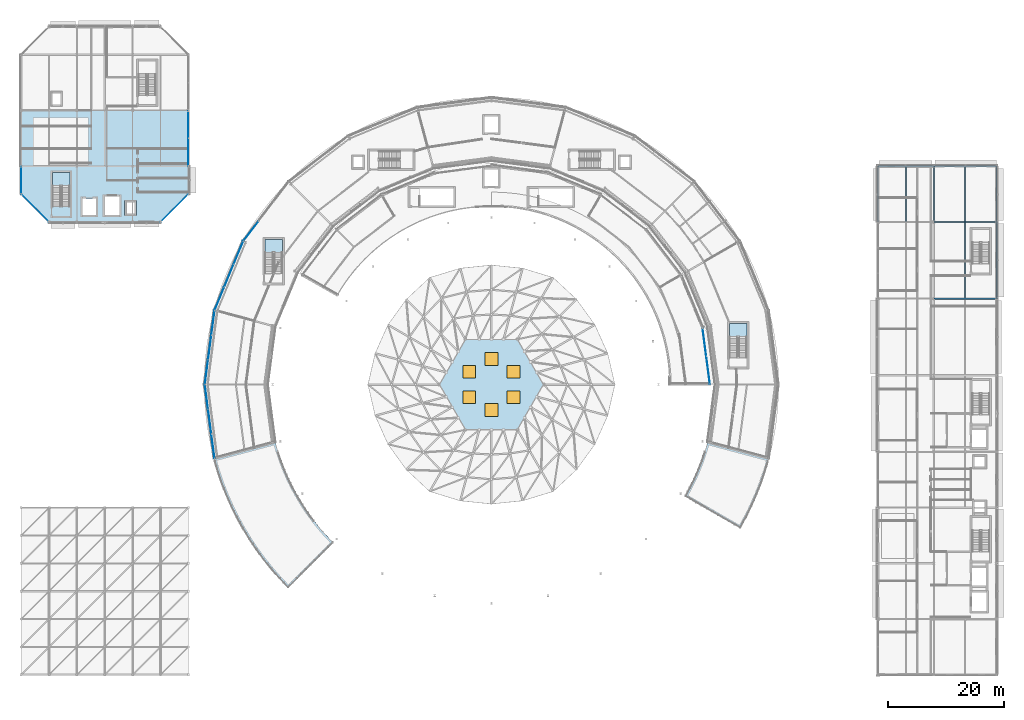
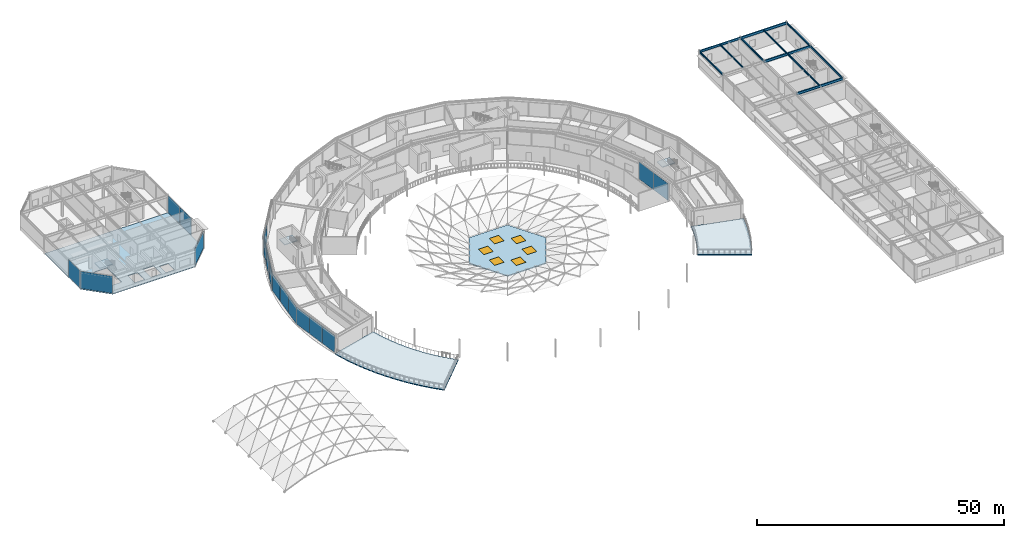
# One storey, part 76 of 116: 17 plates, 11 beams, 7 slabs, 6 windows, 6 openings, 12 elements without a shape of their own.
"""IFC4 building model written with IfcOpenShell, lengths in metres."""

from ifc_helpers import new_model, si_unit, direction, frame, origin, origin_2d, place, context, subcontext, project, spatial, polyline, rectangle, i_section, outline, extrude, material, layer, layer_set, material_profile, profile_set, type_object, element, fill, aggregate, save


model = new_model("IFC4")

# Units and contexts
model_context = context("Model", 3, precision=1e-05, world=origin(), true_north=direction((0.0, 1.0)))
body_context = subcontext(model_context, "Body", "Model", "MODEL_VIEW")
ifc_project = project(units=[si_unit("LENGTHUNIT", "METRE"), si_unit("AREAUNIT", "SQUARE_METRE"), si_unit("VOLUMEUNIT", "CUBIC_METRE"), si_unit("PLANEANGLEUNIT", "RADIAN"), si_unit("MASSUNIT", "GRAM", prefix="KILO")], contexts=[model_context])

# Site, building, storey
site_placement = place(None, origin())
site = spatial("IfcSite", under=ifc_project, at=site_placement, CompositionType="ELEMENT")
building_placement = place(site_placement, origin())
building = spatial("IfcBuilding", under=site, at=building_placement, Name="Almandine Court Research Institute", CompositionType="ELEMENT")
storey_placement = place(building_placement, frame((0.0, 0.0, 14.35009765625)))
storey = spatial("IfcBuildingStorey", under=building, at=storey_placement, Name="L03", CompositionType="ELEMENT", Elevation=14.35009765625)

# Beams
ifc_material_1 = material(Name="Steel ASTM A992 Grade 50", Category="steel")
ifc_material_profile_1 = material_profile(ifc_material_1, i_section(OverallWidth=0.18994140625, OverallDepth=0.45703125, WebThickness=0.009033203125, FlangeThickness=0.014892578125, at=origin_2d()), Name="W460x74")
ifc_profile_set_1 = profile_set([ifc_material_profile_1], Name="Steel ASTM A992 Grade 50")
beam_type_1 = type_object("IfcBeamType", Name="Beam-B-01", PredefinedType="BEAM", material=ifc_profile_set_1)
for number, where, z_axis, x_axis, name in (
    (1, (153.60009765625, 84.0, 4.094970703125), (0.0, 1.0, 0.0), (-1.0, 0.0, 0.0), "L03 V4 Primary Y Girder"),
    (2, (163.199951171875, 84.0, 4.094970703125), (0.0, 1.0, 0.0), (-1.0, 0.0, 0.0), "L03 V4 Primary Y Girder"),
):
    element("IfcBeam", number, at=place(storey_placement, frame(where, z_axis=z_axis, x_axis=x_axis)), inside=storey, type_object=beam_type_1, Name=name, PredefinedType="BEAM", context=body_context, shape_type="SweptSolid", body=[
        extrude(i_section(OverallWidth=0.18994140625, OverallDepth=0.45703125, WebThickness=0.009033203125, FlangeThickness=0.014892578125, at=origin_2d()), origin(), (0.0, 0.0, 1.0), 9.60009765625),
    ])
ifc_material_profile_2 = material_profile(ifc_material_1, i_section(OverallWidth=0.178955078125, OverallDepth=0.409912109375, WebThickness=0.009033203125, FlangeThickness=0.013916015625, at=origin_2d()), Name="W410x67")
ifc_profile_set_2 = profile_set([ifc_material_profile_2], Name="Steel ASTM A992 Grade 50")
beam_type_2 = type_object("IfcBeamType", Name="Beam-B-02", PredefinedType="JOIST", material=ifc_profile_set_2)
beam_1_placement = place(storey_placement, frame((168.60009765625, 70.9130859375, 4.164794921875), z_axis=(0.0, 1.0, 0.0), x_axis=(-1.0, 0.0, 0.0)))
element("IfcBeam", 3, at=beam_1_placement, inside=storey, type_object=beam_type_2, Name="L03 V4 Composite Secondary Beam", PredefinedType="JOIST", context=body_context, shape_type="SweptSolid", body=[
    extrude(i_section(OverallWidth=0.178955078125, OverallDepth=0.409912109375, WebThickness=0.009033203125, FlangeThickness=0.013916015625, at=origin_2d()), origin(), (0.0, 0.0, 1.0), 12.973876953125),
])
beam_2_placement = place(storey_placement, frame((158.39990234375, 84.10302734375, 4.117919921875), z_axis=(0.0, 1.0, 0.0), x_axis=(-1.0, 0.0, 0.0)))
element("IfcBeam", 4, at=beam_2_placement, inside=storey, type_object=beam_type_2, Name="L03 V4 Composite Secondary Beam", PredefinedType="JOIST", context=body_context, shape_type="SweptSolid", body=[
    extrude(i_section(OverallWidth=0.178955078125, OverallDepth=0.409912109375, WebThickness=0.009033203125, FlangeThickness=0.013916015625, at=origin_2d()), origin(), (0.0, 0.0, 1.0), 9.39306640625),
])
beam_3_placement = place(storey_placement, frame((168.60009765625, 84.113037109375, 4.117919921875), z_axis=(0.0, 1.0, 0.0), x_axis=(-1.0, 0.0, 0.0)))
element("IfcBeam", 5, at=beam_3_placement, inside=storey, type_object=beam_type_2, Name="L03 V4 Composite Secondary Beam", PredefinedType="JOIST", context=body_context, shape_type="SweptSolid", body=[
    extrude(i_section(OverallWidth=0.178955078125, OverallDepth=0.409912109375, WebThickness=0.009033203125, FlangeThickness=0.013916015625, at=origin_2d()), origin(), (0.0, 0.0, 1.0), 9.3740234375),
])
ifc_material_profile_3 = material_profile(ifc_material_1, i_section(OverallWidth=0.22998046875, OverallDepth=0.616943359375, WebThickness=0.012939453125, FlangeThickness=0.02197265625, at=origin_2d()), Name="W610x140")
ifc_profile_set_3 = profile_set([ifc_material_profile_3], Name="Steel ASTM A992 Grade 50")
beam_type_3 = type_object("IfcBeamType", Name="Beam-G-02", PredefinedType="BEAM", material=ifc_profile_set_3)
for number, where, z_axis, x_axis, name in (
    (6, (163.199951171875, 70.800048828125, 4.06201171875), (1.0, 0.0, 0.0), (0.0, 1.0, 0.0), "L03 V4 Primary X Girder"),
    (7, (163.199951171875, 84.0, 4.014892578125), (1.0, 0.0, 0.0), (0.0, 1.0, 0.0), "L03 V4 Primary X Girder"),
    (8, (163.199951171875, 93.60009765625, 4.014892578125), (1.0, 0.0, 0.0), (0.0, 1.0, 0.0), "L03 V4 Primary X Girder"),
):
    element("IfcBeam", number, at=place(storey_placement, frame(where, z_axis=z_axis, x_axis=x_axis)), inside=storey, type_object=beam_type_3, Name=name, PredefinedType="BEAM", context=body_context, shape_type="SweptSolid", body=[
        extrude(i_section(OverallWidth=0.22998046875, OverallDepth=0.616943359375, WebThickness=0.012939453125, FlangeThickness=0.02197265625, at=origin_2d()), origin(), (0.0, 0.0, 1.0), 10.800048828125),
    ])
ifc_material_profile_4 = material_profile(ifc_material_1, i_section(OverallWidth=0.2109375, OverallDepth=0.5390625, WebThickness=0.011962890625, FlangeThickness=0.01904296875, at=origin_2d()), Name="W530x109")
ifc_profile_set_4 = profile_set([ifc_material_profile_4], Name="Steel ASTM A992 Grade 50")
beam_type_4 = type_object("IfcBeamType", Name="Beam-G-04", PredefinedType="BEAM", material=ifc_profile_set_4)
beam_4_placement = place(storey_placement, frame((153.60009765625, 93.60009765625, 4.053955078125), z_axis=(1.0, 0.0, 0.0), x_axis=(0.0, 1.0, 0.0)))
element("IfcBeam", 9, at=beam_4_placement, inside=storey, type_object=beam_type_4, Name="L03 V4 Primary X Girder", PredefinedType="BEAM", context=body_context, shape_type="SweptSolid", body=[
    extrude(i_section(OverallWidth=0.2109375, OverallDepth=0.5390625, WebThickness=0.011962890625, FlangeThickness=0.01904296875, at=origin_2d()), origin(), (0.0, 0.0, 1.0), 9.599853515625),
])
ifc_material_profile_5 = material_profile(ifc_material_1, i_section(OverallWidth=0.166015625, OverallDepth=0.534912109375, WebThickness=0.010009765625, FlangeThickness=0.01708984375, at=origin_2d()), Name="W530x85")
ifc_profile_set_5 = profile_set([ifc_material_profile_5], Name="Steel ASTM A992 Grade 50")
beam_type_5 = type_object("IfcBeamType", Name="Beam-G-05-E", PredefinedType="SPANDREL", material=ifc_profile_set_5)
beam_5_placement = place(storey_placement, frame((174.0, 70.800048828125, 4.102783203125), z_axis=(0.0, 1.0, 0.0), x_axis=(-1.0, 0.0, 0.0)))
element("IfcBeam", 10, at=beam_5_placement, inside=storey, type_object=beam_type_5, Name="L03 V4 Primary Y Girder", PredefinedType="SPANDREL", context=body_context, shape_type="SweptSolid", body=[
    extrude(i_section(OverallWidth=0.166015625, OverallDepth=0.534912109375, WebThickness=0.010009765625, FlangeThickness=0.01708984375, at=origin_2d()), origin(), (0.0, 0.0, 1.0), 13.199951171875),
])
ifc_material_profile_6 = material_profile(ifc_material_1, i_section(OverallWidth=0.193115234375, OverallDepth=0.466064453125, WebThickness=0.010986328125, FlangeThickness=0.01904296875, at=origin_2d()), Name="W460x97")
ifc_profile_set_6 = profile_set([ifc_material_profile_6], Name="Steel ASTM A992 Grade 50")
beam_type_6 = type_object("IfcBeamType", Name="Beam-G-06-E", PredefinedType="SPANDREL", material=ifc_profile_set_6)
beam_6_placement = place(storey_placement, frame((174.0, 84.0, 4.08984375), z_axis=(0.0, 1.0, 0.0), x_axis=(-1.0, 0.0, 0.0)))
element("IfcBeam", 11, at=beam_6_placement, inside=storey, type_object=beam_type_6, Name="L03 V4 Primary Y Girder", PredefinedType="SPANDREL", context=body_context, shape_type="SweptSolid", body=[
    extrude(i_section(OverallWidth=0.193115234375, OverallDepth=0.466064453125, WebThickness=0.010986328125, FlangeThickness=0.01904296875, at=origin_2d()), origin(), (0.0, 0.0, 1.0), 9.60009765625),
])

# Curtain wall, plate
ifc_material_2 = material(Name="Unitised Curtain Wall Framing and Solar Glazing", Category="glass")
curtain_wall_type_1 = type_object("IfcCurtainWallType", Name="CW-CWG-05", PredefinedType="USERDEFINED", material=ifc_material_2)
curtain_wall_1_placement = place(storey_placement, origin())
curtain_wall_1 = element("IfcCurtainWall", 12, at=curtain_wall_1_placement, inside=storey, type_object=curtain_wall_type_1, Name="L03 Cleanroom SE Chamfer Glazing", ObjectType="UNITISED GLAZING", PredefinedType="USERDEFINED")
ifc_material_3 = material(Name="Double-Glazed Low-E Argon Insulated Glass", Category="glass")
ifc_layer_1 = layer(ifc_material_3, 0.028076171875)
ifc_layer_set_1 = layer_set([ifc_layer_1], Name="Double-Glazed Low-E Argon Insulated Glass")
plate_type_1 = type_object("IfcPlateType", Name="CWPnl-GLZ-28", PredefinedType="CURTAIN_PANEL", material=ifc_layer_set_1)
plate_1_placement = place(storey_placement, frame((32.39990234375, 86.39990234375, 0.059814453125), z_axis=(0.0, 0.0, 1.0), x_axis=(-0.707106781187, -0.707106781187, 0.0)))
plate_1 = element("IfcPlate", 13, at=plate_1_placement, type_object=plate_type_1, Name="CWG-05 panel 1.1", PredefinedType="CURTAIN_PANEL", context=body_context, shape_type="SweptSolid", body=[
    extrude(rectangle(XDim=6.656982421875, YDim=0.028076171875, at=origin_2d()), origin(), (0.0, 0.0, 1.0), 4.25),
])
aggregate(curtain_wall_1, [plate_1])

curtain_wall_2_placement = place(storey_placement, origin())
curtain_wall_2 = element("IfcCurtainWall", 14, at=curtain_wall_2_placement, inside=storey, type_object=curtain_wall_type_1, Name="L03 Cleanroom SW Chamfer Glazing", ObjectType="UNITISED GLAZING", PredefinedType="USERDEFINED")
plate_2_placement = place(storey_placement, frame((8.39990234375, 86.39990234375, 0.059814453125), z_axis=(0.0, 0.0, 1.0), x_axis=(-0.707106781187, 0.707106781187, 0.0)))
plate_2 = element("IfcPlate", 15, at=plate_2_placement, type_object=plate_type_1, Name="CWG-05 panel 1.1", PredefinedType="CURTAIN_PANEL", context=body_context, shape_type="SweptSolid", body=[
    extrude(rectangle(XDim=6.656982421875, YDim=0.028076171875, at=origin_2d()), origin(), (0.0, 0.0, 1.0), 4.25),
])
aggregate(curtain_wall_2, [plate_2])

# Curtain wall, plates
curtain_wall_type_2 = type_object("IfcCurtainWallType", Name="CW-CWG-24", PredefinedType="USERDEFINED", material=ifc_material_2)
curtain_wall_3_placement = place(storey_placement, origin())
curtain_wall_3 = element("IfcCurtainWall", 16, at=curtain_wall_3_placement, inside=storey, type_object=curtain_wall_type_2, Name="L03 Interaction Atrium Perimeter Curtain Wall 00", ObjectType="UNITISED GLAZING", PredefinedType="USERDEFINED")
plate_3_placement = place(storey_placement, frame((123.6904296875, 63.2919921875, 0.059814453125), z_axis=(0.0, 0.0, 1.0), x_axis=(0.130536164028, -0.991443548509, 0.0)))
plate_3 = element("IfcPlate", 17, at=plate_3_placement, type_object=plate_type_1, Name="CWG-24 panel 1.1", PredefinedType="CURTAIN_PANEL", context=body_context, shape_type="SweptSolid", body=[
    extrude(rectangle(XDim=4.820556640625, YDim=0.028076171875, at=origin_2d()), origin(), (0.0, 0.0, 1.0), 4.25),
])
plate_4_placement = place(storey_placement, frame((124.32763671875, 58.453125, 0.059814453125), z_axis=(0.0, 0.0, 1.0), x_axis=(0.130536164028, -0.991443548509, 0.0)))
plate_4 = element("IfcPlate", 18, at=plate_4_placement, type_object=plate_type_1, Name="CWG-24 panel 2.1", PredefinedType="CURTAIN_PANEL", context=body_context, shape_type="SweptSolid", body=[
    extrude(rectangle(XDim=4.820556640625, YDim=0.028076171875, at=origin_2d()), origin(), (0.0, 0.0, 1.0), 4.25),
])
aggregate(curtain_wall_3, [plate_3, plate_4])

# Curtain wall, plate
curtain_wall_type_3 = type_object("IfcCurtainWallType", Name="CW-CWJ-06", PredefinedType="USERDEFINED", material=ifc_material_2)
curtain_wall_4_placement = place(storey_placement, origin())
curtain_wall_4 = element("IfcCurtainWall", 19, at=curtain_wall_4_placement, inside=storey, type_object=curtain_wall_type_3, Name="L03 Cleanroom West Jali Curtain Wall", ObjectType="SOLAR JALI SCREEN", PredefinedType="USERDEFINED")
ifc_material_4 = material(Name="Perforated Ochre Terracotta Jali Solar Cassette", Category="masonry")
ifc_layer_2 = layer(ifc_material_4, 0.035888671875)
ifc_layer_set_2 = layer_set([ifc_layer_2], Name="Perforated Ochre Terracotta Jali Solar Cassette")
plate_type_2 = type_object("IfcPlateType", Name="CWPnl-JALI-36", PredefinedType="CURTAIN_PANEL", material=ifc_layer_set_2)
plate_5_placement = place(storey_placement, frame((6.0, 91.199951171875, 0.06494140625), z_axis=(0.0, 0.0, 1.0), x_axis=(0.0, 1.0, 0.0)))
plate_5 = element("IfcPlate", 20, at=plate_5_placement, type_object=plate_type_2, Name="CWJ-06 panel 1.1", PredefinedType="CURTAIN_PANEL", context=body_context, shape_type="SweptSolid", body=[
    extrude(rectangle(XDim=4.662109375, YDim=0.035888671875, at=origin_2d()), origin(), (0.0, 0.0, 1.0), 4.239990234375),
])
aggregate(curtain_wall_4, [plate_5])

# Curtain wall, plates
curtain_wall_type_4 = type_object("IfcCurtainWallType", Name="CW-CWJ-02", PredefinedType="USERDEFINED", material=ifc_material_2)
curtain_wall_5_placement = place(storey_placement, origin())
curtain_wall_5 = element("IfcCurtainWall", 21, at=curtain_wall_5_placement, inside=storey, type_object=curtain_wall_type_4, Name="L03 Cleanroom East Courtyard Jali Screen 2", ObjectType="SOLAR JALI SCREEN", PredefinedType="USERDEFINED")
plate_6_placement = place(storey_placement, frame((34.800048828125, 100.78173828125, 0.06494140625), z_axis=(0.0, 0.0, 1.0), x_axis=(0.0, -1.0, 0.0)))
plate_6 = element("IfcPlate", 22, at=plate_6_placement, type_object=plate_type_2, Name="CWJ-02 panel 1.1", PredefinedType="CURTAIN_PANEL", context=body_context, shape_type="SweptSolid", body=[
    extrude(rectangle(XDim=4.698486328125, YDim=0.035888671875, at=origin_2d()), origin(), (0.0, 0.0, 1.0), 4.239990234375),
])
plate_7_placement = place(storey_placement, frame((34.800048828125, 96.018310546875, 0.06494140625), z_axis=(0.0, 0.0, 1.0), x_axis=(0.0, -1.0, 0.0)))
plate_7 = element("IfcPlate", 23, at=plate_7_placement, type_object=plate_type_2, Name="CWJ-02 panel 2.1", PredefinedType="CURTAIN_PANEL", context=body_context, shape_type="SweptSolid", body=[
    extrude(rectangle(XDim=4.698486328125, YDim=0.035888671875, at=origin_2d()), origin(), (0.0, 0.0, 1.0), 4.239990234375),
])
aggregate(curtain_wall_5, [plate_6, plate_7])

# Curtain wall, plate
curtain_wall_type_5 = type_object("IfcCurtainWallType", Name="CW-CWJ-19", PredefinedType="USERDEFINED", material=ifc_material_2)
curtain_wall_6_placement = place(storey_placement, origin())
curtain_wall_6 = element("IfcCurtainWall", 24, at=curtain_wall_6_placement, inside=storey, type_object=curtain_wall_type_5, Name="L03 Stacked-Ring Drum Outer Solar Jali Screen 09", ObjectType="SOLAR JALI SCREEN", PredefinedType="USERDEFINED")
plate_8_placement = place(storey_placement, frame((45.5712890625, 82.398681640625, 0.06494140625), z_axis=(0.0, 0.0, 1.0), x_axis=(0.608723313303, 0.793382586046, 0.0)))
plate_8 = element("IfcPlate", 25, at=plate_8_placement, type_object=plate_type_2, Name="CWJ-19 panel 1.1", PredefinedType="CURTAIN_PANEL", context=body_context, shape_type="SweptSolid", body=[
    extrude(rectangle(XDim=4.195068359375, YDim=0.035888671875, at=origin_2d()), origin(), (0.0, 0.0, 1.0), 4.239990234375),
])
aggregate(curtain_wall_6, [plate_8])

# Curtain wall, plates
curtain_wall_7_placement = place(storey_placement, origin())
curtain_wall_7 = element("IfcCurtainWall", 26, at=curtain_wall_7_placement, inside=storey, type_object=curtain_wall_type_5, Name="L03 Stacked-Ring Drum Outer Solar Jali Screen 10", ObjectType="SOLAR JALI SCREEN", PredefinedType="USERDEFINED")
plate_9_placement = place(storey_placement, frame((40.150634765625, 70.777099609375, 0.06494140625), z_axis=(0.0, 0.0, 1.0), x_axis=(0.382662689242, 0.923888124321, 0.0)))
plate_9 = element("IfcPlate", 27, at=plate_9_placement, type_object=plate_type_2, Name="CWJ-19 panel 1.1", PredefinedType="CURTAIN_PANEL", context=body_context, shape_type="SweptSolid", body=[
    extrude(rectangle(XDim=4.1953125, YDim=0.035888671875, at=origin_2d()), origin(), (0.0, 0.0, 1.0), 4.239990234375),
])
plate_10_placement = place(storey_placement, frame((41.787109375, 74.72802734375, 0.06494140625), z_axis=(0.0, 0.0, 1.0), x_axis=(0.382662689242, 0.923888124321, 0.0)))
plate_10 = element("IfcPlate", 28, at=plate_10_placement, type_object=plate_type_2, Name="CWJ-19 panel 2.1", PredefinedType="CURTAIN_PANEL", context=body_context, shape_type="SweptSolid", body=[
    extrude(rectangle(XDim=4.227783203125, YDim=0.035888671875, at=origin_2d()), origin(), (0.0, 0.0, 1.0), 4.239990234375),
])
plate_11_placement = place(storey_placement, frame((43.42333984375, 78.678955078125, 0.06494140625), z_axis=(0.0, 0.0, 1.0), x_axis=(0.382662689242, 0.923888124321, 0.0)))
plate_11 = element("IfcPlate", 29, at=plate_11_placement, type_object=plate_type_2, Name="CWJ-19 panel 3.1", PredefinedType="CURTAIN_PANEL", context=body_context, shape_type="SweptSolid", body=[
    extrude(rectangle(XDim=4.1953125, YDim=0.035888671875, at=origin_2d()), origin(), (0.0, 0.0, 1.0), 4.239990234375),
])
aggregate(curtain_wall_7, [plate_9, plate_10, plate_11])

curtain_wall_8_placement = place(storey_placement, origin())
curtain_wall_8 = element("IfcCurtainWall", 30, at=curtain_wall_8_placement, inside=storey, type_object=curtain_wall_type_5, Name="L03 Stacked-Ring Drum Outer Solar Jali Screen 11", ObjectType="SOLAR JALI SCREEN", PredefinedType="USERDEFINED")
plate_12_placement = place(storey_placement, frame((37.92236328125, 58.14794921875, 0.06494140625), z_axis=(0.0, 0.0, 1.0), x_axis=(0.130540891259, 0.991442926098, 0.0)))
plate_12 = element("IfcPlate", 31, at=plate_12_placement, type_object=plate_type_2, Name="CWJ-19 panel 1.1", PredefinedType="CURTAIN_PANEL", context=body_context, shape_type="SweptSolid", body=[
    extrude(rectangle(XDim=4.19482421875, YDim=0.035888671875, at=origin_2d()), origin(), (0.0, 0.0, 1.0), 4.239990234375),
])
plate_13_placement = place(storey_placement, frame((38.48046875, 62.387451171875, 0.06494140625), z_axis=(0.0, 0.0, 1.0), x_axis=(0.130540891259, 0.991442926098, 0.0)))
plate_13 = element("IfcPlate", 32, at=plate_13_placement, type_object=plate_type_2, Name="CWJ-19 panel 2.1", PredefinedType="CURTAIN_PANEL", context=body_context, shape_type="SweptSolid", body=[
    extrude(rectangle(XDim=4.227294921875, YDim=0.035888671875, at=origin_2d()), origin(), (0.0, 0.0, 1.0), 4.239990234375),
])
plate_14_placement = place(storey_placement, frame((39.038818359375, 66.626953125, 0.06494140625), z_axis=(0.0, 0.0, 1.0), x_axis=(0.130540891259, 0.991442926098, 0.0)))
plate_14 = element("IfcPlate", 33, at=plate_14_placement, type_object=plate_type_2, Name="CWJ-19 panel 3.1", PredefinedType="CURTAIN_PANEL", context=body_context, shape_type="SweptSolid", body=[
    extrude(rectangle(XDim=4.19482421875, YDim=0.035888671875, at=origin_2d()), origin(), (0.0, 0.0, 1.0), 4.239990234375),
])
aggregate(curtain_wall_8, [plate_12, plate_13, plate_14])

curtain_wall_9_placement = place(storey_placement, origin())
curtain_wall_9 = element("IfcCurtainWall", 34, at=curtain_wall_9_placement, inside=storey, type_object=curtain_wall_type_5, Name="L03 Stacked-Ring Drum Outer Solar Jali Screen 12", ObjectType="SOLAR JALI SCREEN", PredefinedType="USERDEFINED")
plate_15_placement = place(storey_placement, frame((39.038818359375, 45.373046875, 0.06494140625), z_axis=(0.0, 0.0, 1.0), x_axis=(-0.130540891259, 0.991442926098, 0.0)))
plate_15 = element("IfcPlate", 35, at=plate_15_placement, type_object=plate_type_2, Name="CWJ-19 panel 1.1", PredefinedType="CURTAIN_PANEL", context=body_context, shape_type="SweptSolid", body=[
    extrude(rectangle(XDim=4.19482421875, YDim=0.035888671875, at=origin_2d()), origin(), (0.0, 0.0, 1.0), 4.239990234375),
])
plate_16_placement = place(storey_placement, frame((38.48046875, 49.612548828125, 0.06494140625), z_axis=(0.0, 0.0, 1.0), x_axis=(-0.130540891259, 0.991442926098, 0.0)))
plate_16 = element("IfcPlate", 36, at=plate_16_placement, type_object=plate_type_2, Name="CWJ-19 panel 2.1", PredefinedType="CURTAIN_PANEL", context=body_context, shape_type="SweptSolid", body=[
    extrude(rectangle(XDim=4.227294921875, YDim=0.035888671875, at=origin_2d()), origin(), (0.0, 0.0, 1.0), 4.239990234375),
])
plate_17_placement = place(storey_placement, frame((37.92236328125, 53.85205078125, 0.06494140625), z_axis=(0.0, 0.0, 1.0), x_axis=(-0.130540891259, 0.991442926098, 0.0)))
plate_17 = element("IfcPlate", 37, at=plate_17_placement, type_object=plate_type_2, Name="CWJ-19 panel 3.1", PredefinedType="CURTAIN_PANEL", context=body_context, shape_type="SweptSolid", body=[
    extrude(rectangle(XDim=4.19482421875, YDim=0.035888671875, at=origin_2d()), origin(), (0.0, 0.0, 1.0), 4.239990234375),
])
aggregate(curtain_wall_9, [plate_15, plate_16, plate_17])

# Slab
ifc_material_5 = material(Name="Concrete C35/45", Category="concrete")
ifc_layer_3 = layer(ifc_material_5, 0.179931640625)
ifc_layer_set_3 = layer_set([ifc_layer_3], Name="Concrete C35/45")
slab_type_1 = type_object("IfcSlabType", Name="Slab-FLR-180", PredefinedType="FLOOR", material=ifc_layer_set_3)
slab_1_placement = place(storey_placement, frame((0.0, 0.0, -0.18017578125)))
element("IfcSlab", 38, at=slab_1_placement, inside=storey, type_object=slab_type_1, Name="L03 Volume 3 Cleanroom Pavilion Floor Slab -S", PredefinedType="FLOOR", context=body_context, shape_type="SweptSolid", body=[
    extrude(outline(polyline([(10.800048828125, 84.0), (30.0, 84.0), (34.800048828125, 88.800048828125), (34.800048828125, 103.199951171875), (6.0, 103.199951171875), (6.0, 88.800048828125), (10.800048828125, 84.0)]), holes=[polyline([(14.39990234375, 86.64990234375), (14.39990234375, 92.5), (11.39990234375, 92.5), (11.39990234375, 86.64990234375), (14.39990234375, 86.64990234375)]), polyline([(16.60009765625, 85.199951171875), (18.89990234375, 85.199951171875), (18.89990234375, 88.0), (16.60009765625, 88.0), (16.60009765625, 85.199951171875)]), polyline([(20.39990234375, 85.199951171875), (22.89990234375, 85.199951171875), (22.89990234375, 88.39990234375), (20.39990234375, 88.39990234375), (20.39990234375, 85.199951171875)]), polyline([(23.830078125, 85.080078125), (25.8701171875, 85.080078125), (25.8701171875, 87.719970703125), (23.830078125, 87.719970703125), (23.830078125, 85.080078125)])]), origin(), (0.0, 0.0, 1.0), 0.18017578125),
])

# Stair, slab
stair_type = type_object("IfcStairType", Name="Stair-Core-26R", PredefinedType="HALF_TURN_STAIR", material=ifc_material_5)
stair_1_placement = place(storey_placement, origin())
stair_1 = element("IfcStair", 39, at=stair_1_placement, inside=storey, type_object=stair_type, Name="L03 Cleanroom Pavilion South Exit Stair", PredefinedType="HALF_TURN_STAIR")
ifc_layer_4 = layer(ifc_material_5, 0.179931640625)
ifc_layer_set_4 = layer_set([ifc_layer_4], Name="Concrete C35/45")
slab_type_2 = type_object("IfcSlabType", Name="Slab-Landing-180", PredefinedType="LANDING", material=ifc_layer_set_4)
slab_2_placement = place(storey_placement, frame((0.0, 0.0, 2.094970703125)))
slab_2 = element("IfcSlab", 40, at=slab_2_placement, type_object=slab_type_2, Name="ST-05 landing 1", PredefinedType="LANDING", context=body_context, shape_type="SweptSolid", body=[
    extrude(outline(polyline([(14.39990234375, 90.25), (14.39990234375, 92.5), (11.39990234375, 92.5), (11.39990234375, 90.25), (14.39990234375, 90.25)])), origin(), (0.0, 0.0, 1.0), 0.179931640625),
])
aggregate(stair_1, [slab_2])

stair_2_placement = place(storey_placement, origin())
stair_2 = element("IfcStair", 41, at=stair_2_placement, inside=storey, type_object=stair_type, Name="L03 Drum East Exit Stair", PredefinedType="HALF_TURN_STAIR")
slab_3_placement = place(storey_placement, frame((0.0, 0.0, 2.094970703125)))
slab_3 = element("IfcSlab", 42, at=slab_3_placement, type_object=slab_type_2, Name="ST-14 landing 1", PredefinedType="LANDING", context=body_context, shape_type="SweptSolid", body=[
    extrude(outline(polyline([(131.0, 64.25), (131.0, 66.5), (128.0, 66.5), (128.0, 64.25), (131.0, 64.25)])), origin(), (0.0, 0.0, 1.0), 0.179931640625),
])
aggregate(stair_2, [slab_3])

stair_3_placement = place(storey_placement, origin())
stair_3 = element("IfcStair", 43, at=stair_3_placement, inside=storey, type_object=stair_type, Name="L03 Drum West Exit Stair", PredefinedType="HALF_TURN_STAIR")
slab_4_placement = place(storey_placement, frame((0.0, 0.0, 2.094970703125)))
slab_4 = element("IfcSlab", 44, at=slab_4_placement, type_object=slab_type_2, Name="ST-15 landing 1", PredefinedType="LANDING", context=body_context, shape_type="SweptSolid", body=[
    extrude(outline(polyline([(51.0, 78.75), (51.0, 81.0), (48.0, 81.0), (48.0, 78.75), (51.0, 78.75)])), origin(), (0.0, 0.0, 1.0), 0.179931640625),
])
aggregate(stair_3, [slab_4])

# Slab, openings, windows
ifc_layer_5 = layer(ifc_material_5, 0.199951171875)
ifc_layer_set_5 = layer_set([ifc_layer_5], Name="Concrete C35/45")
slab_type_3 = type_object("IfcSlabType", Name="Slab-RF-200", PredefinedType="ROOF", material=ifc_layer_set_5)
slab_5_placement = place(storey_placement, frame((0.0, 0.0, 0.7998046875)))
slab_5 = element("IfcSlab", 45, at=slab_5_placement, inside=storey, type_object=slab_type_3, Name="L03 Central Atrium Oculus Skylight Curb Roof Slab", PredefinedType="ROOF", context=body_context, shape_type="SweptSolid", body=[
    extrude(outline(polyline([(96.0, 56.0), (91.5, 63.7939453125), (82.5, 63.7939453125), (78.0, 56.0), (82.5, 48.2060546875), (91.5, 48.2060546875), (96.0, 56.0)]), holes=[polyline([(89.7109375, 57.10009765625), (91.910888671875, 57.10009765625), (91.910888671875, 59.300048828125), (89.7109375, 59.300048828125), (89.7109375, 57.10009765625)]), polyline([(85.89990234375, 59.300048828125), (88.10009765625, 59.300048828125), (88.10009765625, 61.5), (85.89990234375, 61.5), (85.89990234375, 59.300048828125)]), polyline([(82.089111328125, 57.10009765625), (84.2890625, 57.10009765625), (84.2890625, 59.300048828125), (82.089111328125, 59.300048828125), (82.089111328125, 57.10009765625)]), polyline([(82.089111328125, 52.699951171875), (84.2890625, 52.699951171875), (84.2890625, 54.89990234375), (82.089111328125, 54.89990234375), (82.089111328125, 52.699951171875)]), polyline([(85.89990234375, 50.5), (88.10009765625, 50.5), (88.10009765625, 52.699951171875), (85.89990234375, 52.699951171875), (85.89990234375, 50.5)]), polyline([(89.7109375, 52.699951171875), (91.910888671875, 52.699951171875), (91.910888671875, 54.89990234375), (89.7109375, 54.89990234375), (89.7109375, 52.699951171875)])]), origin(), (0.0, 0.0, 1.0), 0.2001953125),
])
opening_1_placement = place(slab_5_placement, frame((90.81103515625, 58.199951171875, 0.0)))
opening_1 = element("IfcOpeningElement", 46, at=opening_1_placement, cuts=slab_5, Name="Opening SK-01", PredefinedType="OPENING", context=body_context, shape_type="SweptSolid", body=[
    extrude(rectangle(XDim=2.199951171875, YDim=2.199951171875, at=origin_2d()), origin(), (0.0, 0.0, 1.0), 0.2001953125),
])
opening_2_placement = place(slab_5_placement, frame((87.0, 60.39990234375, 0.0)))
opening_2 = element("IfcOpeningElement", 47, at=opening_2_placement, cuts=slab_5, Name="Opening SK-01", PredefinedType="OPENING", context=body_context, shape_type="SweptSolid", body=[
    extrude(rectangle(XDim=2.199951171875, YDim=2.199951171875, at=origin_2d()), origin(), (0.0, 0.0, 1.0), 0.2001953125),
])
opening_3_placement = place(slab_5_placement, frame((83.18896484375, 58.199951171875, 0.0)))
opening_3 = element("IfcOpeningElement", 48, at=opening_3_placement, cuts=slab_5, Name="Opening SK-01", PredefinedType="OPENING", context=body_context, shape_type="SweptSolid", body=[
    extrude(rectangle(XDim=2.199951171875, YDim=2.199951171875, at=origin_2d()), origin(), (0.0, 0.0, 1.0), 0.2001953125),
])
opening_4_placement = place(slab_5_placement, frame((83.18896484375, 53.800048828125, 0.0)))
opening_4 = element("IfcOpeningElement", 49, at=opening_4_placement, cuts=slab_5, Name="Opening SK-01", PredefinedType="OPENING", context=body_context, shape_type="SweptSolid", body=[
    extrude(rectangle(XDim=2.199951171875, YDim=2.199951171875, at=origin_2d()), origin(), (0.0, 0.0, 1.0), 0.2001953125),
])
opening_5_placement = place(slab_5_placement, frame((87.0, 51.60009765625, 0.0)))
opening_5 = element("IfcOpeningElement", 50, at=opening_5_placement, cuts=slab_5, Name="Opening SK-01", PredefinedType="OPENING", context=body_context, shape_type="SweptSolid", body=[
    extrude(rectangle(XDim=2.199951171875, YDim=2.199951171875, at=origin_2d()), origin(), (0.0, 0.0, 1.0), 0.2001953125),
])
opening_6_placement = place(slab_5_placement, frame((90.81103515625, 53.800048828125, 0.0)))
opening_6 = element("IfcOpeningElement", 51, at=opening_6_placement, cuts=slab_5, Name="Opening SK-01", PredefinedType="OPENING", context=body_context, shape_type="SweptSolid", body=[
    extrude(rectangle(XDim=2.199951171875, YDim=2.199951171875, at=origin_2d()), origin(), (0.0, 0.0, 1.0), 0.2001953125),
])
ifc_material_6 = material(Name="Laminated Low-E Hail-Resistant Skylight Glazing", Category="glass")
window_type = type_object("IfcWindowType", Name="Win-SKY-2200", PartitioningType="SINGLE_PANEL", PredefinedType="SKYLIGHT", material=ifc_material_6)
window_1_placement = place(opening_1_placement, frame((0.0, 0.0, 0.150146484375)))
window_1 = element("IfcWindow", 52, at=window_1_placement, inside=storey, type_object=window_type, Name="L03 Atrium Conical Gridshell Oculus Skylight 1", OverallHeight=2.199951171875, OverallWidth=2.199951171875, PartitioningType="SINGLE_PANEL", PredefinedType="SKYLIGHT", context=body_context, shape_type="SweptSolid", body=[
    extrude(rectangle(XDim=2.199951171875, YDim=2.199951171875, at=origin_2d()), origin(), (0.0, 0.0, 1.0), 0.050048828125),
])
fill(opening_1, window_1)
window_2_placement = place(opening_2_placement, frame((0.0, 0.0, 0.150146484375)))
window_2 = element("IfcWindow", 53, at=window_2_placement, inside=storey, type_object=window_type, Name="L03 Atrium Conical Gridshell Oculus Skylight 2", OverallHeight=2.199951171875, OverallWidth=2.199951171875, PartitioningType="SINGLE_PANEL", PredefinedType="SKYLIGHT", context=body_context, shape_type="SweptSolid", body=[
    extrude(rectangle(XDim=2.199951171875, YDim=2.199951171875, at=origin_2d()), origin(), (0.0, 0.0, 1.0), 0.050048828125),
])
fill(opening_2, window_2)
window_3_placement = place(opening_3_placement, frame((0.0, 0.0, 0.150146484375)))
window_3 = element("IfcWindow", 54, at=window_3_placement, inside=storey, type_object=window_type, Name="L03 Atrium Conical Gridshell Oculus Skylight 3", OverallHeight=2.199951171875, OverallWidth=2.199951171875, PartitioningType="SINGLE_PANEL", PredefinedType="SKYLIGHT", context=body_context, shape_type="SweptSolid", body=[
    extrude(rectangle(XDim=2.199951171875, YDim=2.199951171875, at=origin_2d()), origin(), (0.0, 0.0, 1.0), 0.050048828125),
])
fill(opening_3, window_3)
window_4_placement = place(opening_4_placement, frame((0.0, 0.0, 0.150146484375)))
window_4 = element("IfcWindow", 55, at=window_4_placement, inside=storey, type_object=window_type, Name="L03 Atrium Conical Gridshell Oculus Skylight 4", OverallHeight=2.199951171875, OverallWidth=2.199951171875, PartitioningType="SINGLE_PANEL", PredefinedType="SKYLIGHT", context=body_context, shape_type="SweptSolid", body=[
    extrude(rectangle(XDim=2.199951171875, YDim=2.199951171875, at=origin_2d()), origin(), (0.0, 0.0, 1.0), 0.050048828125),
])
fill(opening_4, window_4)
window_5_placement = place(opening_5_placement, frame((0.0, 0.0, 0.150146484375)))
window_5 = element("IfcWindow", 56, at=window_5_placement, inside=storey, type_object=window_type, Name="L03 Atrium Conical Gridshell Oculus Skylight 5", OverallHeight=2.199951171875, OverallWidth=2.199951171875, PartitioningType="SINGLE_PANEL", PredefinedType="SKYLIGHT", context=body_context, shape_type="SweptSolid", body=[
    extrude(rectangle(XDim=2.199951171875, YDim=2.199951171875, at=origin_2d()), origin(), (0.0, 0.0, 1.0), 0.050048828125),
])
fill(opening_5, window_5)
window_6_placement = place(opening_6_placement, frame((0.0, 0.0, 0.150146484375)))
window_6 = element("IfcWindow", 57, at=window_6_placement, inside=storey, type_object=window_type, Name="L03 Atrium Conical Gridshell Oculus Skylight 6", OverallHeight=2.199951171875, OverallWidth=2.199951171875, PartitioningType="SINGLE_PANEL", PredefinedType="SKYLIGHT", context=body_context, shape_type="SweptSolid", body=[
    extrude(rectangle(XDim=2.199951171875, YDim=2.199951171875, at=origin_2d()), origin(), (0.0, 0.0, 1.0), 0.050048828125),
])
fill(opening_6, window_6)

# Slabs
ifc_layer_6 = layer(ifc_material_5, 0.22509765625)
ifc_layer_set_6 = layer_set([ifc_layer_6], Name="Concrete C35/45")
slab_type_4 = type_object("IfcSlabType", Name="Slab-TER-225", PredefinedType="FLOOR", material=ifc_layer_set_6)
slab_6_placement = place(storey_placement, frame((0.0, 0.0, -0.22509765625)))
element("IfcSlab", 58, at=slab_6_placement, inside=storey, type_object=slab_type_4, Name="L03 Volume 5 Stacked-Ring Terrace Slab 1", PredefinedType="FLOOR", context=body_context, shape_type="SweptSolid", body=[
    extrude(outline(polyline([(129.867919921875, 31.25), (130.906982421875, 33.14306640625), (131.862060546875, 35.080078125), (132.73193359375, 37.056884765625), (133.514892578125, 39.070068359375), (134.208984375, 41.114990234375), (134.81298828125, 43.18798828125), (124.18798828125, 46.034912109375), (123.718017578125, 44.423095703125), (123.177978515625, 42.83203125), (122.569091796875, 41.26708984375), (121.89306640625, 39.72900390625), (121.14990234375, 38.222900390625), (120.342041015625, 36.75), (129.867919921875, 31.25)])), origin(), (0.0, 0.0, 1.0), 0.22509765625),
])
slab_7_placement = place(storey_placement, frame((0.0, 0.0, -0.22509765625)))
element("IfcSlab", 59, at=slab_7_placement, inside=storey, type_object=slab_type_4, Name="L03 Volume 5 Stacked-Ring Terrace Slab 2", PredefinedType="FLOOR", context=body_context, shape_type="SweptSolid", body=[
    extrude(outline(polyline([(39.18701171875, 43.18798828125), (39.791015625, 41.114990234375), (40.485107421875, 39.070068359375), (41.26806640625, 37.056884765625), (42.137939453125, 35.080078125), (43.093017578125, 33.14306640625), (44.132080078125, 31.25), (45.251953125, 29.404052734375), (46.451904296875, 27.60791015625), (47.72900390625, 25.865966796875), (49.0810546875, 24.181884765625), (50.5048828125, 22.55810546875), (51.998046875, 20.998046875), (59.77587890625, 28.77587890625), (58.614990234375, 29.989990234375), (57.507080078125, 31.2529296875), (56.4560546875, 32.56298828125), (55.462890625, 33.9169921875), (54.529052734375, 35.31396484375), (53.657958984375, 36.75), (52.85009765625, 38.222900390625), (52.10693359375, 39.72900390625), (51.430908203125, 41.26708984375), (50.822021484375, 42.83203125), (50.281982421875, 44.423095703125), (49.81201171875, 46.034912109375), (39.18701171875, 43.18798828125)])), origin(), (0.0, 0.0, 1.0), 0.22509765625),
])

save(model, "model.ifc")
